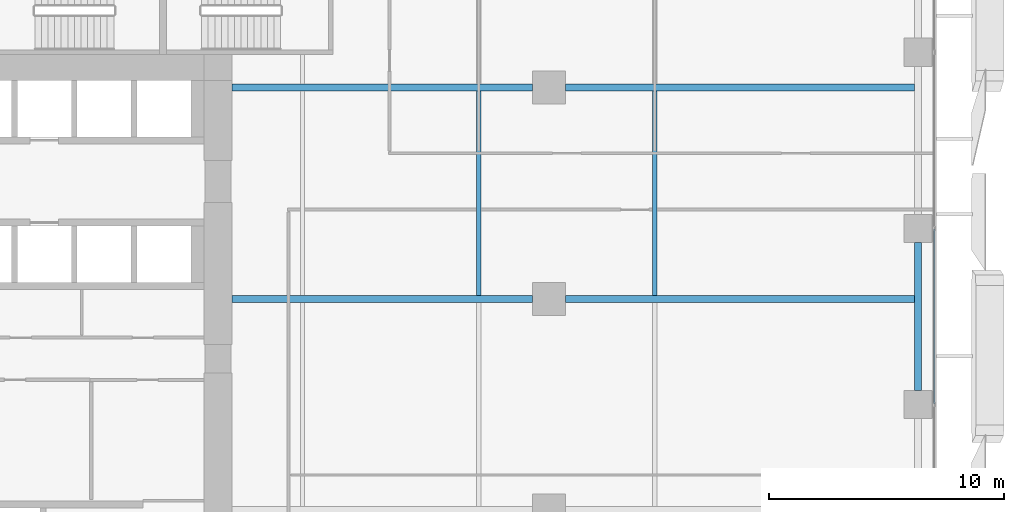
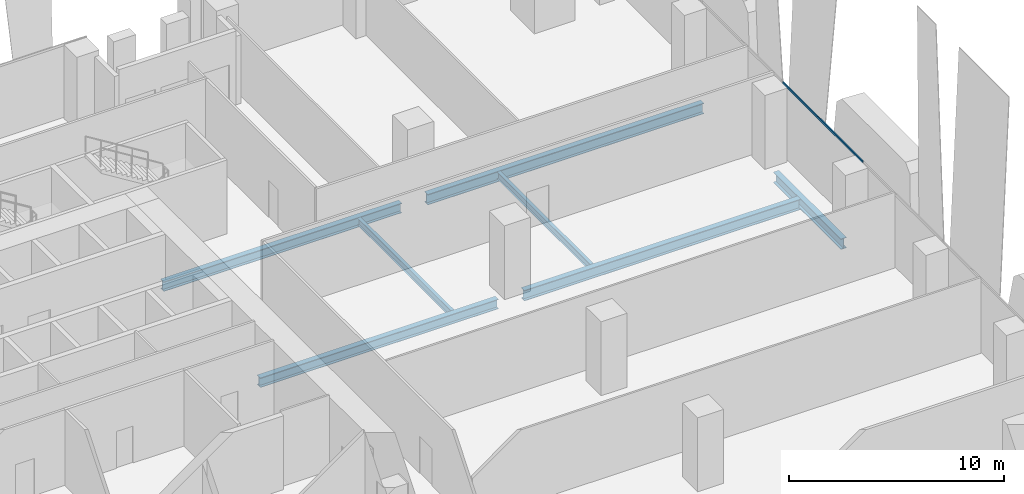
# One storey, part 17 of 36: 7 beams, 1 member, 1 element without a shape of its own.
"""IFC4 building model written with IfcOpenShell, lengths in metres."""

from ifc_helpers import new_model, si_unit, direction, frame, origin, origin_2d, place, context, subcontext, project, spatial, hollow_rectangle, i_section, extrude, source, transform, mapped, material, material_profile, profile_set, type_object, element, aggregate, save


model = new_model("IFC4")

# Units and contexts
model_context = context("Model", 3, precision=1e-05, world=origin(), true_north=direction((0.0, 1.0)))
body_context = subcontext(model_context, "Body", "Model", "MODEL_VIEW")
ifc_project = project(units=[si_unit("LENGTHUNIT", "METRE"), si_unit("AREAUNIT", "SQUARE_METRE"), si_unit("VOLUMEUNIT", "CUBIC_METRE"), si_unit("PLANEANGLEUNIT", "RADIAN"), si_unit("MASSUNIT", "GRAM", prefix="KILO")], contexts=[model_context])

# Site, building, storey
site_placement = place(None, origin())
site = spatial("IfcSite", under=ifc_project, at=site_placement, CompositionType="ELEMENT")
building_placement = place(site_placement, origin())
building = spatial("IfcBuilding", under=site, at=building_placement, Name="Khomas Fold Tower", CompositionType="ELEMENT")
storey_placement = place(building_placement, frame((0.0, 0.0, 46.5)))
storey = spatial("IfcBuildingStorey", under=building, at=storey_placement, Name="L09", CompositionType="ELEMENT", Elevation=46.5)

# Beams
ifc_material_1 = material(Name="Steel S355", Category="steel")
ifc_material_profile_1 = material_profile(ifc_material_1, i_section(OverallWidth=0.300048828125, OverallDepth=0.550048828125, WebThickness=0.014892578125, FlangeThickness=0.029052734375, at=origin_2d()), Name="HE 550 B")
ifc_profile_set_1 = profile_set([ifc_material_profile_1], Name="Steel S355")
beam_type_1 = type_object("IfcBeamType", Name="HE 550 B beam GB4", PredefinedType="BEAM", material=ifc_profile_set_1)
shared_shape_1 = source(origin(), body_context, "Body", "SweptSolid", [
    extrude(i_section(OverallWidth=0.300048828125, OverallDepth=0.550048828125, WebThickness=0.014892578125, FlangeThickness=0.029052734375, at=origin_2d()), origin(), (0.0, 0.0, 1.0), 12.800048828125),
])
for number, where, z_axis, x_axis, name in (
    (1, (24.0, 31.5, -0.574951171875), (1.0, 0.0, 0.0), (0.0, 1.0, 0.0), "GB4"),
    (2, (24.0, 40.5, -0.574951171875), (1.0, 0.0, 0.0), (0.0, 1.0, 0.0), "GB4"),
):
    element("IfcBeam", number, at=place(storey_placement, frame(where, z_axis=z_axis, x_axis=x_axis)), inside=storey, type_object=beam_type_1, Name=name, PredefinedType="BEAM", context=body_context, shape_type="MappedRepresentation", body=[
        mapped(shared_shape_1, transform((0.0, 0.0, 0.0))),
    ])
ifc_material_2 = material(Name="Steel S355", Category="steel")
ifc_material_profile_2 = material_profile(ifc_material_2, i_section(OverallWidth=0.179931640625, OverallDepth=0.39990234375, WebThickness=0.008544921875, FlangeThickness=0.013427734375, at=origin_2d()), Name="IPE 400")
ifc_profile_set_2 = profile_set([ifc_material_profile_2], Name="Steel S355")
beam_type_2 = type_object("IfcBeamType", Name="IPE 400 beam JB3", PredefinedType="BEAM", material=ifc_profile_set_2)
shared_shape_2 = source(origin(), body_context, "Body", "SweptSolid", [
    extrude(i_section(OverallWidth=0.179931640625, OverallDepth=0.39990234375, WebThickness=0.008544921875, FlangeThickness=0.013427734375, at=origin_2d()), origin(), (0.0, 0.0, 1.0), 8.7001953125),
])
for number, where, z_axis, x_axis, name in (
    (3, (34.5, 31.64990234375, -0.5), (0.0, 1.0, 0.0), (-1.0, 0.0, 0.0), "JB3"),
    (4, (42.0, 31.64990234375, -0.5), (0.0, 1.0, 0.0), (-1.0, 0.0, 0.0), "JB3"),
):
    element("IfcBeam", number, at=place(storey_placement, frame(where, z_axis=z_axis, x_axis=x_axis)), inside=storey, type_object=beam_type_2, Name=name, PredefinedType="BEAM", context=body_context, shape_type="MappedRepresentation", body=[
        mapped(shared_shape_2, transform((0.0, 0.0, 0.0))),
    ])
ifc_material_3 = material(Name="Steel S355", Category="steel")
ifc_material_profile_3 = material_profile(ifc_material_3, i_section(OverallWidth=0.300048828125, OverallDepth=0.60009765625, WebThickness=0.015380859375, FlangeThickness=0.030029296875, at=origin_2d()), Name="HE 600 B")
ifc_profile_set_3 = profile_set([ifc_material_profile_3], Name="Steel S355")
beam_type_3 = type_object("IfcBeamType", Name="HE 600 B spandrel SB1", PredefinedType="SPANDREL", material=ifc_profile_set_3)
shared_shape_3 = source(origin(), body_context, "Body", "SweptSolid", [
    extrude(i_section(OverallWidth=0.300048828125, OverallDepth=0.60009765625, WebThickness=0.015380859375, FlangeThickness=0.030029296875, at=origin_2d()), origin(), (0.0, 0.0, 1.0), 6.2998046875),
])
beam_placement = place(storey_placement, frame((53.199951171875, 27.60009765625, -0.60009765625), z_axis=(0.0, 1.0, 0.0), x_axis=(-1.0, 0.0, 0.0)))
element("IfcBeam", 5, at=beam_placement, inside=storey, type_object=beam_type_3, Name="SB1", PredefinedType="SPANDREL", context=body_context, shape_type="MappedRepresentation", body=[
    mapped(shared_shape_3, transform((0.0, 0.0, 0.0))),
])
ifc_material_4 = material(Name="Steel S355", Category="steel")
ifc_material_profile_4 = material_profile(ifc_material_4, i_section(OverallWidth=0.300048828125, OverallDepth=0.60009765625, WebThickness=0.015380859375, FlangeThickness=0.030029296875, at=origin_2d()), Name="HE 600 B")
ifc_profile_set_4 = profile_set([ifc_material_profile_4], Name="Steel S355")
beam_type_4 = type_object("IfcBeamType", Name="HE 600 B beam GB5", PredefinedType="BEAM", material=ifc_profile_set_4)
shared_shape_4 = source(origin(), body_context, "Body", "SweptSolid", [
    extrude(i_section(OverallWidth=0.300048828125, OverallDepth=0.60009765625, WebThickness=0.015380859375, FlangeThickness=0.030029296875, at=origin_2d()), origin(), (0.0, 0.0, 1.0), 14.85009765625),
])
for number, where, z_axis, x_axis, name in (
    (6, (38.199951171875, 31.5, -0.60009765625), (1.0, 0.0, 0.0), (0.0, 1.0, 0.0), "GB5"),
    (7, (38.199951171875, 40.5, -0.60009765625), (1.0, 0.0, 0.0), (0.0, 1.0, 0.0), "GB5"),
):
    element("IfcBeam", number, at=place(storey_placement, frame(where, z_axis=z_axis, x_axis=x_axis)), inside=storey, type_object=beam_type_4, Name=name, PredefinedType="BEAM", context=body_context, shape_type="MappedRepresentation", body=[
        mapped(shared_shape_4, transform((0.0, 0.0, 0.0))),
    ])

# Curtain wall, member
ifc_material_5 = material(Name="Aluminium framed double glazing", Category="aluminium")
curtain_wall_type = type_object("IfcCurtainWallType", Name="SK-Unitised clear-glass wall, growing floors CW1", PredefinedType="NOTDEFINED", material=ifc_material_5)
curtain_wall_placement = place(storey_placement, origin())
curtain_wall = element("IfcCurtainWall", 8, at=curtain_wall_placement, inside=storey, type_object=curtain_wall_type, Name="CW1 run L09 03-0", PredefinedType="NOTDEFINED")
ifc_material_6 = material(Name="Aluminium", Category="aluminium")
ifc_material_profile_5 = material_profile(ifc_material_6, hollow_rectangle(XDim=0.06005859375, YDim=0.1201171875, WallThickness=0.00390625, at=origin_2d()), Name="SK-Unitised clear-glass wall, growing floors transom CW1-T")
ifc_profile_set_5 = profile_set([ifc_material_profile_5], Name="Aluminium")
member_type = type_object("IfcMemberType", Name="SK-Unitised clear-glass wall, growing floors transom CW1-T", PredefinedType="USERDEFINED", material=ifc_profile_set_5)
shared_shape_5 = source(origin(), body_context, "Body", "SweptSolid", [
    extrude(hollow_rectangle(XDim=0.06005859375, YDim=0.1201171875, WallThickness=0.00390625, at=origin_2d()), origin(), (0.0, 0.0, 1.0), 7.43994140625),
])
member_placement = place(storey_placement, frame((53.89990234375, 27.030029296875, 4.139892578125), z_axis=(0.0, 1.0, 0.0), x_axis=(-1.0, 0.0, 0.0)))
member = element("IfcMember", 9, at=member_placement, type_object=member_type, Name="CW1 transom 5", ObjectType="TRANSOM", PredefinedType="USERDEFINED", context=body_context, shape_type="MappedRepresentation", body=[
    mapped(shared_shape_5, transform((0.0, 0.0, 0.0))),
])
aggregate(curtain_wall, [member])

save(model, "model.ifc")
